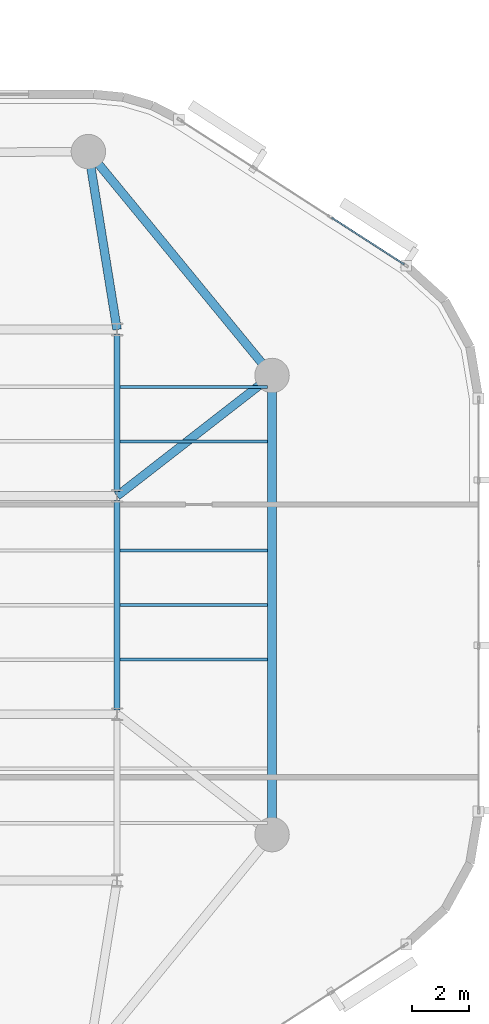
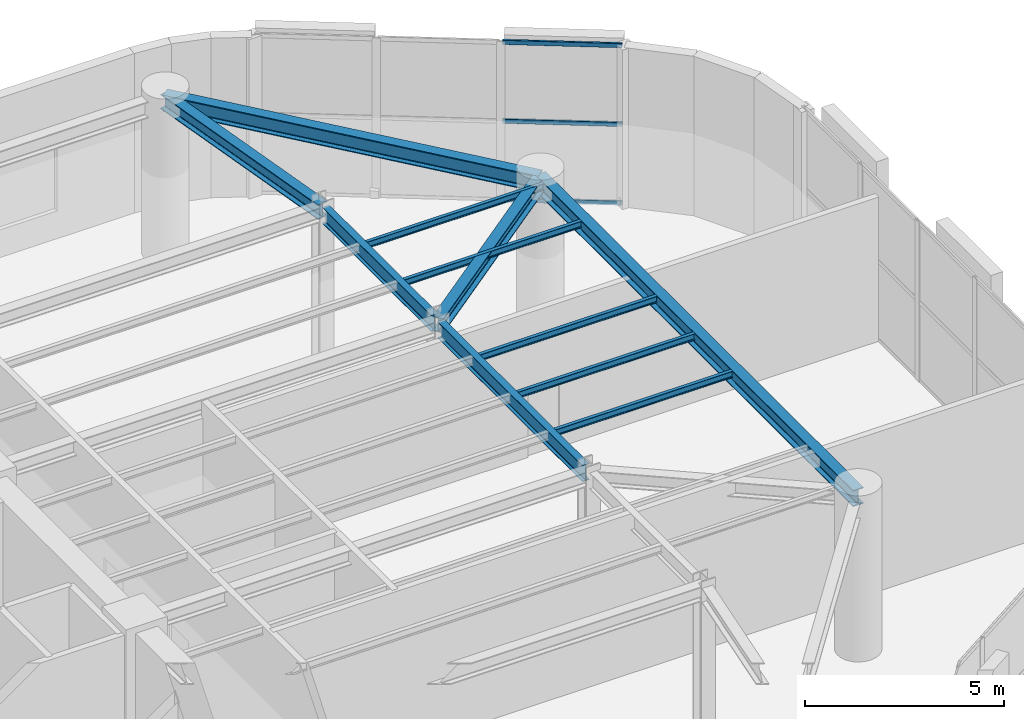
# One storey, part 3 of 12: 11 beams, 3 members, 1 element without a shape of its own.
"""IFC4 building model written with IfcOpenShell, lengths in metres."""

from ifc_helpers import new_model, si_unit, direction, frame, origin, origin_2d, place, context, subcontext, project, spatial, hollow_rectangle, i_section, extrude, material, layer, layer_set, material_profile, profile_set, type_object, element, aggregate, save


model = new_model("IFC4")

# Units and contexts
model_context = context("Model", 3, precision=1e-05, world=origin(), true_north=direction((0.0, 1.0)))
body_context = subcontext(model_context, "Body", "Model", "MODEL_VIEW")
ifc_project = project(units=[si_unit("LENGTHUNIT", "METRE"), si_unit("AREAUNIT", "SQUARE_METRE"), si_unit("VOLUMEUNIT", "CUBIC_METRE"), si_unit("PLANEANGLEUNIT", "RADIAN"), si_unit("MASSUNIT", "GRAM", prefix="KILO")], contexts=[model_context])

# Site, building, storey
site_placement = place(None, origin())
site = spatial("IfcSite", under=ifc_project, at=site_placement, CompositionType="ELEMENT")
building_placement = place(site_placement, origin())
building = spatial("IfcBuilding", under=site, at=building_placement, Name="An Khanh Terracotta Commons", CompositionType="ELEMENT")
storey_placement = place(building_placement, frame((0.0, 0.0, 138.699951171875)))
storey = spatial("IfcBuildingStorey", under=building, at=storey_placement, Name="L36", CompositionType="ELEMENT", Elevation=138.699951171875)

# Beams
ifc_material_1 = material(Name="Steel S355J2", Category="steel")
ifc_material_profile_1 = material_profile(ifc_material_1, i_section(OverallWidth=0.300048828125, OverallDepth=0.449951171875, WebThickness=0.013916015625, FlangeThickness=0.02587890625, FilletRadius=0.027099609375, at=origin_2d()), Name="HEB450")
ifc_profile_set_1 = profile_set([ifc_material_profile_1], Name="Steel S355J2")
beam_type_1 = type_object("IfcBeamType", Name="BM-HEB450", PredefinedType="BEAM", material=ifc_profile_set_1)
beam_1_placement = place(storey_placement, frame((55.800048828125, 32.0, 4.675048828125), z_axis=(-0.789363746927, -0.61392578952, 0.0), x_axis=(0.61392578952, -0.789363746927, 0.0)))
element("IfcBeam", 1, at=beam_1_placement, inside=storey, type_object=beam_type_1, Name="L36 Mega-Column Tie Girder 4", PredefinedType="BEAM", context=body_context, shape_type="SweptSolid", body=[
    extrude(i_section(OverallWidth=0.300048828125, OverallDepth=0.449951171875, WebThickness=0.013916015625, FlangeThickness=0.02587890625, FilletRadius=0.027099609375, at=origin_2d()), origin(), (0.0, 0.0, 1.0), 6.841064453125),
])
beam_2_placement = place(storey_placement, frame((49.39990234375, 39.800048828125, 4.675048828125), z_axis=(0.159233661074, -0.987240923575, 0.0), x_axis=(0.987240923575, 0.159233661074, 0.0)))
element("IfcBeam", 2, at=beam_2_placement, inside=storey, type_object=beam_type_1, Name="L36 Mega-Column Tie Girder 5", PredefinedType="BEAM", context=body_context, shape_type="SweptSolid", body=[
    extrude(i_section(OverallWidth=0.300048828125, OverallDepth=0.449951171875, WebThickness=0.013916015625, FlangeThickness=0.02587890625, FilletRadius=0.027099609375, at=origin_2d()), origin(), (0.0, 0.0, 1.0), 6.280029296875),
])
ifc_material_profile_2 = material_profile(ifc_material_1, i_section(OverallWidth=0.300048828125, OverallDepth=0.5, WebThickness=0.014404296875, FlangeThickness=0.028076171875, FilletRadius=0.027099609375, at=origin_2d()), Name="HEB500")
ifc_profile_set_2 = profile_set([ifc_material_profile_2], Name="Steel S355J2")
beam_type_2 = type_object("IfcBeamType", Name="BM-HEB500", PredefinedType="BEAM", material=ifc_profile_set_2)
beam_3_placement = place(storey_placement, frame((55.800048828125, 16.0, 4.650146484375), z_axis=(0.0, 1.0, 0.0), x_axis=(-1.0, 0.0, 0.0)))
element("IfcBeam", 3, at=beam_3_placement, inside=storey, type_object=beam_type_2, Name="L36 Perimeter Ring Spandrel 3", PredefinedType="BEAM", context=body_context, shape_type="SweptSolid", body=[
    extrude(i_section(OverallWidth=0.300048828125, OverallDepth=0.5, WebThickness=0.014404296875, FlangeThickness=0.028076171875, FilletRadius=0.027099609375, at=origin_2d()), origin(), (0.0, 0.0, 1.0), 16.0),
])
beam_4_placement = place(storey_placement, frame((55.800048828125, 32.0, 4.650146484375), z_axis=(-0.634322915223, 0.7730681983, 0.0), x_axis=(-0.7730681983, -0.634322915223, 0.0)))
element("IfcBeam", 4, at=beam_4_placement, inside=storey, type_object=beam_type_2, Name="L36 Perimeter Ring Spandrel 4", PredefinedType="BEAM", context=body_context, shape_type="SweptSolid", body=[
    extrude(i_section(OverallWidth=0.300048828125, OverallDepth=0.5, WebThickness=0.014404296875, FlangeThickness=0.028076171875, FilletRadius=0.027099609375, at=origin_2d()), origin(), (0.0, 0.0, 1.0), 10.08984375),
])
ifc_material_profile_3 = material_profile(ifc_material_1, i_section(OverallWidth=0.10009765625, OverallDepth=0.199951171875, WebThickness=0.005615234375, FlangeThickness=0.008544921875, FilletRadius=0.011962890625, at=origin_2d()), Name="IPE200")
ifc_profile_set_3 = profile_set([ifc_material_profile_3], Name="Steel S355J2")
beam_type_3 = type_object("IfcBeamType", Name="BM-IPE200", PredefinedType="JOIST", material=ifc_profile_set_3)
for number, where, z_axis, x_axis, name in (
    (5, (50.5, 22.10009765625, 4.800048828125), (1.0, 0.0, 0.0), (0.0, 1.0, 0.0), "L36 Riverfront Composite Joist 3"),
    (6, (50.5, 24.0, 4.800048828125), (1.0, 0.0, 0.0), (0.0, 1.0, 0.0), "L36 Riverfront Composite Joist 4"),
    (7, (50.5, 25.89990234375, 4.800048828125), (1.0, 0.0, 0.0), (0.0, 1.0, 0.0), "L36 Riverfront Composite Joist 5"),
    (8, (50.5, 29.699951171875, 4.800048828125), (1.0, 0.0, 0.0), (0.0, 1.0, 0.0), "L36 Riverfront Composite Joist 6"),
    (9, (50.5, 31.60009765625, 4.800048828125), (1.0, 0.0, 0.0), (0.0, 1.0, 0.0), "L36 Riverfront Composite Joist 7"),
):
    element("IfcBeam", number, at=place(storey_placement, frame(where, z_axis=z_axis, x_axis=x_axis)), inside=storey, type_object=beam_type_3, Name=name, PredefinedType="JOIST", context=body_context, shape_type="SweptSolid", body=[
        extrude(i_section(OverallWidth=0.10009765625, OverallDepth=0.199951171875, WebThickness=0.005615234375, FlangeThickness=0.008544921875, FilletRadius=0.011962890625, at=origin_2d()), origin(), (0.0, 0.0, 1.0), 5.14990234375),
    ])
ifc_material_profile_4 = material_profile(ifc_material_1, i_section(OverallWidth=0.199951171875, OverallDepth=0.5, WebThickness=0.01025390625, FlangeThickness=0.01611328125, FilletRadius=0.02099609375, at=origin_2d()), Name="IPE500")
ifc_profile_set_4 = profile_set([ifc_material_profile_4], Name="Steel S355J2")
beam_type_4 = type_object("IfcBeamType", Name="BM-IPE500", PredefinedType="BEAM", material=ifc_profile_set_4)
beam_5_placement = place(storey_placement, frame((50.39990234375, 20.35009765625, 4.650146484375), z_axis=(0.0, 1.0, 0.0), x_axis=(-1.0, 0.0, 0.0)))
element("IfcBeam", 10, at=beam_5_placement, inside=storey, type_object=beam_type_4, Name="L36 East Spine Girder 2", PredefinedType="BEAM", context=body_context, shape_type="SweptSolid", body=[
    extrude(i_section(OverallWidth=0.199951171875, OverallDepth=0.5, WebThickness=0.01025390625, FlangeThickness=0.01611328125, FilletRadius=0.02099609375, at=origin_2d()), origin(), (0.0, 0.0, 1.0), 7.2998046875),
])
beam_6_placement = place(storey_placement, frame((50.39990234375, 27.949951171875, 4.650146484375), z_axis=(0.0, 1.0, 0.0), x_axis=(-1.0, 0.0, 0.0)))
element("IfcBeam", 11, at=beam_6_placement, inside=storey, type_object=beam_type_4, Name="L36 East Spine Girder 3", PredefinedType="BEAM", context=body_context, shape_type="SweptSolid", body=[
    extrude(i_section(OverallWidth=0.199951171875, OverallDepth=0.5, WebThickness=0.01025390625, FlangeThickness=0.01611328125, FilletRadius=0.02099609375, at=origin_2d()), origin(), (0.0, 0.0, 1.0), 5.5),
])

# Curtain wall, members
ifc_material_2 = material(Name="Anodised Aluminium 6063-T6", Category="aluminium")
ifc_layer = layer(ifc_material_2, 0.239990234375, Name="Anodised Aluminium 6063-T6")
ifc_layer_set = layer_set([ifc_layer], Name="Anodised Aluminium 6063-T6")
curtain_wall_type = type_object("IfcCurtainWallType", Name="CW-SYS-04", PredefinedType="USERDEFINED", material=ifc_layer_set)
curtain_wall_placement = place(storey_placement, origin())
curtain_wall = element("IfcCurtainWall", 12, at=curtain_wall_placement, inside=storey, type_object=curtain_wall_type, Name="L36 CW-04 Unitised Curtain Wall CW-L36-16", ObjectType="UNITISED CURTAIN WALL", PredefinedType="USERDEFINED")
ifc_material_profile_5 = material_profile(ifc_material_2, hollow_rectangle(XDim=0.06005859375, YDim=0.135009765625, WallThickness=0.003662109375, InnerFilletRadius=0.003662109375, OuterFilletRadius=0.007080078125, at=origin_2d()), Name="RHS135x60x3.6")
ifc_profile_set_5 = profile_set([ifc_material_profile_5], Name="Anodised Aluminium 6063-T6")
member_type = type_object("IfcMemberType", Name="CWT-RHS135x60x3.6", PredefinedType="USERDEFINED", material=ifc_profile_set_5)
member_1_placement = place(storey_placement, frame((60.41064453125, 35.867431640625, 0.030029296875), z_axis=(-0.840692105256, 0.541513420111, 0.0), x_axis=(-0.541513420111, -0.840692105256, 0.0)))
member_1 = element("IfcMember", 13, at=member_1_placement, type_object=member_type, Name="CW-04 transom 1.1", ObjectType="TRANSOM", PredefinedType="USERDEFINED", context=body_context, shape_type="SweptSolid", body=[
    extrude(hollow_rectangle(XDim=0.06005859375, YDim=0.135009765625, WallThickness=0.003662109375, InnerFilletRadius=0.003662109375, OuterFilletRadius=0.007080078125, at=origin_2d()), origin(), (0.0, 0.0, 1.0), 3.019287109375),
])
member_2_placement = place(storey_placement, frame((60.41064453125, 35.867431640625, 2.449951171875), z_axis=(-0.840692105256, 0.541513420111, 0.0), x_axis=(-0.541513420111, -0.840692105256, 0.0)))
member_2 = element("IfcMember", 14, at=member_2_placement, type_object=member_type, Name="CW-04 transom 1.2", ObjectType="TRANSOM", PredefinedType="USERDEFINED", context=body_context, shape_type="SweptSolid", body=[
    extrude(hollow_rectangle(XDim=0.06005859375, YDim=0.135009765625, WallThickness=0.003662109375, InnerFilletRadius=0.003662109375, OuterFilletRadius=0.007080078125, at=origin_2d()), origin(), (0.0, 0.0, 1.0), 3.019287109375),
])
member_3_placement = place(storey_placement, frame((60.41064453125, 35.867431640625, 4.8701171875), z_axis=(-0.840692105256, 0.541513420111, 0.0), x_axis=(-0.541513420111, -0.840692105256, 0.0)))
member_3 = element("IfcMember", 15, at=member_3_placement, type_object=member_type, Name="CW-04 transom 1.3", ObjectType="TRANSOM", PredefinedType="USERDEFINED", context=body_context, shape_type="SweptSolid", body=[
    extrude(hollow_rectangle(XDim=0.06005859375, YDim=0.135009765625, WallThickness=0.003662109375, InnerFilletRadius=0.003662109375, OuterFilletRadius=0.007080078125, at=origin_2d()), origin(), (0.0, 0.0, 1.0), 3.019287109375),
])
aggregate(curtain_wall, [member_1, member_2, member_3])

save(model, "model.ifc")
